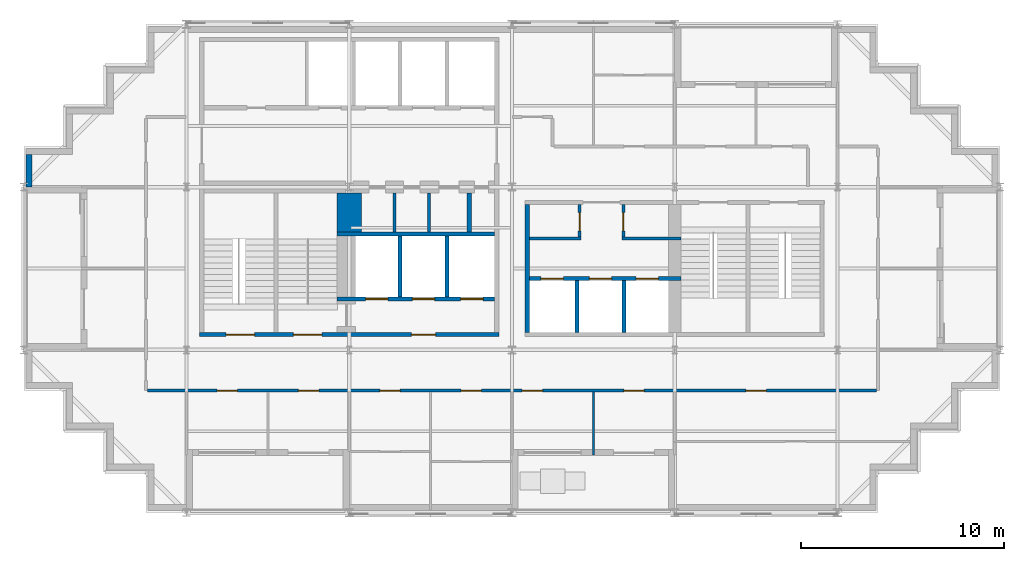
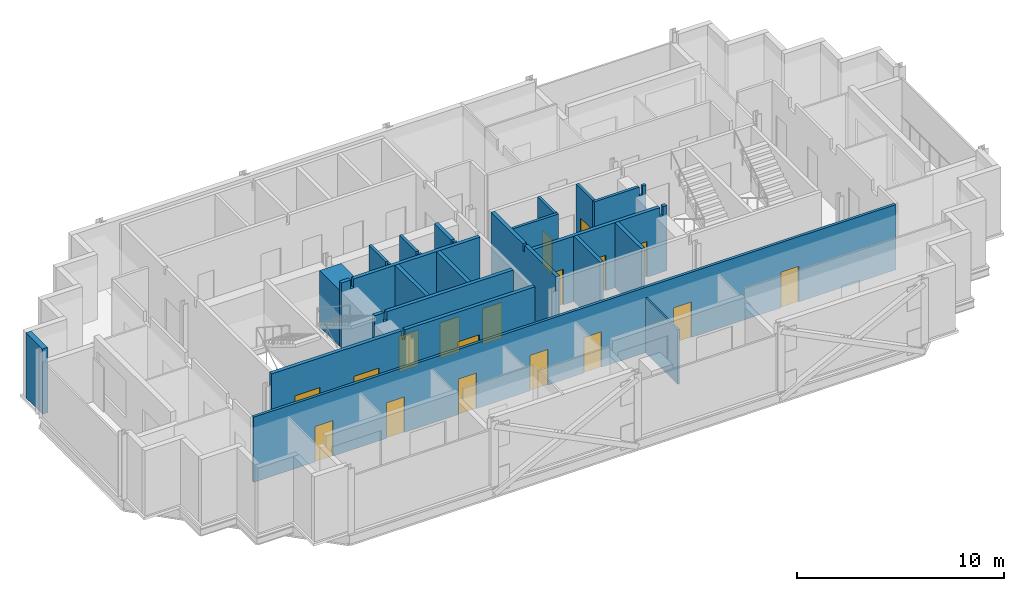
# One storey, part 5 of 10: 20 walls, 18 doors, 18 openings.
"""IFC4 building model written with IfcOpenShell, lengths in metres."""

from ifc_helpers import new_model, si_unit, direction, frame, frame_2d, origin, place, context, subcontext, project, spatial, polyline, rectangle, outline, extrude, material, layer, layer_set, type_object, element, fill, save


model = new_model("IFC4")

# Units and contexts
model_context = context("Model", 3, precision=1e-05, world=origin(), true_north=direction((0.0, 1.0)))
body_context = subcontext(model_context, "Body", "Model", "MODEL_VIEW")
ifc_project = project(units=[si_unit("LENGTHUNIT", "METRE"), si_unit("AREAUNIT", "SQUARE_METRE"), si_unit("VOLUMEUNIT", "CUBIC_METRE"), si_unit("PLANEANGLEUNIT", "RADIAN"), si_unit("MASSUNIT", "GRAM", prefix="KILO")], contexts=[model_context])

# Site, building, storey
site_placement = place(None, origin())
site = spatial("IfcSite", under=ifc_project, at=site_placement, CompositionType="ELEMENT")
building_placement = place(site_placement, origin())
building = spatial("IfcBuilding", under=site, at=building_placement, Name="Immortelle Media Tower", CompositionType="ELEMENT")
storey_placement = place(building_placement, frame((0.0, 0.0, 275.0)))
storey = spatial("IfcBuildingStorey", under=building, at=storey_placement, Name="L60", CompositionType="ELEMENT", Elevation=275.0)

# Walls
ifc_material_1 = material(Name="Fire-rated gypsum board", Category="gypsum")
ifc_layer_1 = layer(ifc_material_1, 0.02490234375)
ifc_material_2 = material(Name="Steel ASTM A653 SS Gr 50 stud frame with mineral wool", Category="steel")
ifc_layer_2 = layer(ifc_material_2, 0.10009765625)
ifc_layer_3 = layer(ifc_material_1, 0.02490234375)
ifc_layer_set_1 = layer_set([ifc_layer_1, ifc_layer_2, ifc_layer_3], Name="Steel ASTM A653 SS Gr 50 stud frame with mineral wool")
wall_type_1 = type_object("IfcWallType", Name="Core partition 150", PredefinedType="PARTITIONING", material=ifc_layer_set_1)
for number, where, z_axis, x_axis, name in (
    (1, (18.22509765625, 13.800048828125, 0.0), (0.0, 0.0, 1.0), (0.0, 1.0, 0.0), "Core partition SW"),
    (2, (19.925048828125, 13.800048828125, 0.0), (0.0, 0.0, 1.0), (0.0, 1.0, 0.0), "Core partition SW"),
):
    element("IfcWall", number, at=place(storey_placement, frame(where, z_axis=z_axis, x_axis=x_axis)), inside=storey, type_object=wall_type_1, Name=name, PredefinedType="PARTITIONING", context=body_context, shape_type="SweptSolid", body=[
        extrude(outline(polyline([(0.0, 0.0), (1.89990234375, 0.0), (1.89990234375, 3.85009765625), (0.27490234375, 3.85009765625), (0.27392578125, 3.43994140625), (0.1259765625, 3.43994140625), (0.125, 3.85009765625), (0.0, 3.85009765625), (0.0, 0.0)])), frame((0.0, 0.074951171875, 0.0), z_axis=(0.0, -1.0, 0.0), x_axis=(1.0, 0.0, 0.0)), (0.0, 0.0, 1.0), 0.14990234375),
    ])
wall_1_placement = place(storey_placement, frame((24.85009765625, 13.47509765625, 0.0), z_axis=(0.0, 0.0, 1.0), x_axis=(1.0, 0.0, 0.0)))
element("IfcWall", 3, at=wall_1_placement, inside=storey, type_object=wall_type_1, Name="Core partition SE", PredefinedType="PARTITIONING", context=body_context, shape_type="SweptSolid", body=[
    extrude(rectangle(XDim=2.5498046875, YDim=0.14990234375, at=frame_2d((1.27490234375, 0.0))), origin(), (0.0, 0.0, 1.0), 3.85009765625),
])

# Wall, opening, door
wall_2_placement = place(storey_placement, frame((27.324951171875, 13.550048828125, 0.0), z_axis=(0.0, 0.0, 1.0), x_axis=(0.0, 1.0, 0.0)))
wall_2 = element("IfcWall", 4, at=wall_2_placement, inside=storey, type_object=wall_type_1, Name="Core partition SE", PredefinedType="PARTITIONING", context=body_context, shape_type="SweptSolid", body=[
    extrude(rectangle(XDim=1.599853515625, YDim=0.14990234375, at=frame_2d((0.7998046875, 0.0))), origin(), (0.0, 0.0, 1.0), 3.85009765625),
])
opening_1_placement = place(wall_2_placement, frame((0.300048828125, 0.0, 0.0)))
opening_1 = element("IfcOpeningElement", 5, at=opening_1_placement, cuts=wall_2, Name="Opening X4-K020", PredefinedType="OPENING", context=body_context, shape_type="SweptSolid", body=[
    extrude(rectangle(XDim=0.89990234375, YDim=2.10009765625, at=frame_2d((0.449951171875, 1.050048828125))), frame((0.0, 0.0849609375, 0.0), z_axis=(0.0, -1.0, 0.0), x_axis=(1.0, 0.0, 0.0)), (0.0, 0.0, 1.0), 0.169921875),
])
ifc_material_3 = material(Name="Galvanised steel door leaf and frame ASTM A653", Category="steel")
door_type_1 = type_object("IfcDoorType", Name="Service door 900 x 2100", OperationType="NOTDEFINED", PredefinedType="NOTDEFINED", material=ifc_material_3)
door_1_placement = place(opening_1_placement, origin())
door_1 = element("IfcDoor", 6, at=door_1_placement, inside=storey, type_object=door_type_1, Name="Service X4-K020", OperationType="SINGLE_SWING_RIGHT", OverallHeight=2.10009765625, OverallWidth=0.89990234375, PredefinedType="NOTDEFINED", context=body_context, shape_type="SweptSolid", body=[
    extrude(rectangle(XDim=0.89990234375, YDim=2.10009765625, at=frame_2d((0.449951171875, 1.050048828125))), frame((0.0, 0.02490234375, 0.0), z_axis=(0.0, -1.0, 0.0), x_axis=(1.0, 0.0, 0.0)), (0.0, 0.0, 1.0), 0.050048828125),
])
fill(opening_1, door_1)

# Wall
wall_3_placement = place(storey_placement, frame((29.39990234375, 13.47509765625, 0.0), z_axis=(0.0, 0.0, 1.0), x_axis=(1.0, 0.0, 0.0)))
element("IfcWall", 7, at=wall_3_placement, inside=storey, type_object=wall_type_1, Name="Core partition SE", PredefinedType="PARTITIONING", context=body_context, shape_type="SweptSolid", body=[
    extrude(outline(polyline([(0.0, 0.0), (2.900146484375, 0.0), (2.89990234375, 3.85009765625), (2.6875, 3.85009765625), (2.6865234375, 3.318115234375), (2.513427734375, 3.318115234375), (2.512451171875, 3.85009765625), (0.0, 3.85009765625), (0.0, 0.0)])), frame((0.0, 0.074951171875, 0.0), z_axis=(0.0, -1.0, 0.0), x_axis=(1.0, 0.0, 0.0)), (0.0, 0.0, 1.0), 0.14990234375),
])

# Wall, opening, door
wall_4_placement = place(storey_placement, frame((29.47509765625, 13.550048828125, 0.0), z_axis=(0.0, 0.0, 1.0), x_axis=(0.0, 1.0, 0.0)))
wall_4 = element("IfcWall", 8, at=wall_4_placement, inside=storey, type_object=wall_type_1, Name="Core partition SE", PredefinedType="PARTITIONING", context=body_context, shape_type="SweptSolid", body=[
    extrude(rectangle(XDim=1.599853515625, YDim=0.14990234375, at=frame_2d((0.7998046875, 0.0))), origin(), (0.0, 0.0, 1.0), 3.85009765625),
])
opening_2_placement = place(wall_4_placement, frame((1.199951171875, 0.0, 0.0), z_axis=(0.0, 0.0, 1.0), x_axis=(-1.0, 0.0, 0.0)))
opening_2 = element("IfcOpeningElement", 9, at=opening_2_placement, cuts=wall_4, Name="Opening X4-K023", PredefinedType="OPENING", context=body_context, shape_type="SweptSolid", body=[
    extrude(rectangle(XDim=0.89990234375, YDim=2.10009765625, at=frame_2d((0.449951171875, 1.050048828125))), frame((0.0, 0.0849609375, 0.0), z_axis=(0.0, -1.0, 0.0), x_axis=(1.0, 0.0, 0.0)), (0.0, 0.0, 1.0), 0.169921875),
])
ifc_material_4 = material(Name="Timber", Category="wood")
door_type_2 = type_object("IfcDoorType", Name="Room door 900 x 2100", OperationType="NOTDEFINED", PredefinedType="NOTDEFINED", material=ifc_material_4)
door_2_placement = place(opening_2_placement, origin())
door_2 = element("IfcDoor", 10, at=door_2_placement, inside=storey, type_object=door_type_2, Name="Room X4-K023", OperationType="SINGLE_SWING_RIGHT", OverallHeight=2.10009765625, OverallWidth=0.89990234375, PredefinedType="NOTDEFINED", context=body_context, shape_type="SweptSolid", body=[
    extrude(rectangle(XDim=0.89990234375, YDim=2.10009765625, at=frame_2d((0.449951171875, 1.050048828125))), frame((0.0, 0.02490234375, 0.0), z_axis=(0.0, -1.0, 0.0), x_axis=(1.0, 0.0, 0.0)), (0.0, 0.0, 1.0), 0.050048828125),
])
fill(opening_2, door_2)

# Wall, openings, doors
ifc_layer_4 = layer(ifc_material_1, 0.03759765625)
ifc_layer_5 = layer(ifc_material_2, 0.125)
ifc_layer_6 = layer(ifc_material_1, 0.03759765625)
ifc_layer_set_2 = layer_set([ifc_layer_4, ifc_layer_5, ifc_layer_6], Name="Steel ASTM A653 SS Gr 50 stud frame with mineral wool")
wall_type_2 = type_object("IfcWallType", Name="Core shaft wall 200", PredefinedType="PARTITIONING", material=ifc_layer_set_2)
wall_5_placement = place(storey_placement, frame((15.39990234375, 10.5, 0.0), z_axis=(0.0, 0.0, 1.0), x_axis=(1.0, 0.0, 0.0)))
wall_5 = element("IfcWall", 11, at=wall_5_placement, inside=storey, type_object=wall_type_2, Name="Core shaft wall SW", PredefinedType="PARTITIONING", context=body_context, shape_type="SweptSolid", body=[
    extrude(outline(polyline([(0.0, 0.0), (7.75, 0.0), (7.75, 3.85009765625), (0.6875, 3.85009765625), (0.6865234375, 3.318115234375), (0.513427734375, 3.318115234375), (0.512451171875, 3.85009765625), (0.0, 3.85009765625), (0.0, 0.0)])), frame((0.0, 0.10009765625, 0.0), z_axis=(0.0, -1.0, 0.0), x_axis=(1.0, 0.0, 0.0)), (0.0, 0.0, 1.0), 0.199951171875),
])
opening_3_placement = place(wall_5_placement, frame((1.39990234375, 0.0, 0.0)))
opening_3 = element("IfcOpeningElement", 12, at=opening_3_placement, cuts=wall_5, Name="Opening LD", PredefinedType="OPENING", context=body_context, shape_type="SweptSolid", body=[
    extrude(rectangle(XDim=1.10009765625, YDim=2.10009765625, at=frame_2d((0.550048828125, 1.050048828125))), frame((0.0, 0.10986328125, 0.0), z_axis=(0.0, -1.0, 0.0), x_axis=(1.0, 0.0, 0.0)), (0.0, 0.0, 1.0), 0.219970703125),
])
opening_4_placement = place(wall_5_placement, frame((3.699951171875, 0.0, 0.0)))
opening_4 = element("IfcOpeningElement", 13, at=opening_4_placement, cuts=wall_5, Name="Opening LD", PredefinedType="OPENING", context=body_context, shape_type="SweptSolid", body=[
    extrude(rectangle(XDim=1.10009765625, YDim=2.10009765625, at=frame_2d((0.550048828125, 1.050048828125))), frame((0.0, 0.10986328125, 0.0), z_axis=(0.0, -1.0, 0.0), x_axis=(1.0, 0.0, 0.0)), (0.0, 0.0, 1.0), 0.219970703125),
])
opening_5_placement = place(wall_5_placement, frame((6.074951171875, 0.0, 0.0)))
opening_5 = element("IfcOpeningElement", 14, at=opening_5_placement, cuts=wall_5, Name="Opening LD", PredefinedType="OPENING", context=body_context, shape_type="SweptSolid", body=[
    extrude(rectangle(XDim=1.10009765625, YDim=2.10009765625, at=frame_2d((0.550048828125, 1.050048828125))), frame((0.0, 0.10986328125, 0.0), z_axis=(0.0, -1.0, 0.0), x_axis=(1.0, 0.0, 0.0)), (0.0, 0.0, 1.0), 0.219970703125),
])
ifc_material_5 = material(Name="Stainless steel AISI 304", Category="steel")
door_type_3 = type_object("IfcDoorType", Name="Landing door 1100 x 2100", OperationType="SLIDING_TO_LEFT", PredefinedType="NOTDEFINED", material=ifc_material_5)
door_3_placement = place(opening_3_placement, origin())
door_3 = element("IfcDoor", 15, at=door_3_placement, inside=storey, type_object=door_type_3, Name="Landing door FF1 L60", OperationType="SLIDING_TO_LEFT", OverallHeight=2.10009765625, OverallWidth=1.10009765625, PredefinedType="NOTDEFINED", context=body_context, shape_type="SweptSolid", body=[
    extrude(rectangle(XDim=1.10009765625, YDim=2.10009765625, at=frame_2d((0.550048828125, 1.050048828125))), frame((0.0, 0.02490234375, 0.0), z_axis=(0.0, -1.0, 0.0), x_axis=(1.0, 0.0, 0.0)), (0.0, 0.0, 1.0), 0.050048828125),
])
fill(opening_3, door_3)
door_4_placement = place(opening_4_placement, origin())
door_4 = element("IfcDoor", 16, at=door_4_placement, inside=storey, type_object=door_type_3, Name="Landing door FF2 L60", OperationType="SLIDING_TO_LEFT", OverallHeight=2.10009765625, OverallWidth=1.10009765625, PredefinedType="NOTDEFINED", context=body_context, shape_type="SweptSolid", body=[
    extrude(rectangle(XDim=1.10009765625, YDim=2.10009765625, at=frame_2d((0.550048828125, 1.050048828125))), frame((0.0, 0.02490234375, 0.0), z_axis=(0.0, -1.0, 0.0), x_axis=(1.0, 0.0, 0.0)), (0.0, 0.0, 1.0), 0.050048828125),
])
fill(opening_4, door_4)
door_5_placement = place(opening_5_placement, origin())
door_5 = element("IfcDoor", 17, at=door_5_placement, inside=storey, type_object=door_type_3, Name="Landing door FF3 L60", OperationType="SLIDING_TO_LEFT", OverallHeight=2.10009765625, OverallWidth=1.10009765625, PredefinedType="NOTDEFINED", context=body_context, shape_type="SweptSolid", body=[
    extrude(rectangle(XDim=1.10009765625, YDim=2.10009765625, at=frame_2d((0.550048828125, 1.050048828125))), frame((0.0, 0.02490234375, 0.0), z_axis=(0.0, -1.0, 0.0), x_axis=(1.0, 0.0, 0.0)), (0.0, 0.0, 1.0), 0.050048828125),
])
fill(opening_5, door_5)

# Walls
wall_6_placement = place(storey_placement, frame((15.39990234375, 13.699951171875, 0.0), z_axis=(0.0, 0.0, 1.0), x_axis=(1.0, 0.0, 0.0)))
element("IfcWall", 18, at=wall_6_placement, inside=storey, type_object=wall_type_2, Name="Core shaft wall SW", PredefinedType="PARTITIONING", context=body_context, shape_type="SweptSolid", body=[
    extrude(outline(polyline([(0.0, 0.0), (7.75, 0.0), (7.75, 3.85009765625), (0.6875, 3.85009765625), (0.6865234375, 3.318115234375), (0.513427734375, 3.318115234375), (0.512451171875, 3.85009765625), (0.0, 3.85009765625), (0.0, 0.0)])), frame((0.0, 0.10009765625, 0.0), z_axis=(0.0, -1.0, 0.0), x_axis=(1.0, 0.0, 0.0)), (0.0, 0.0, 1.0), 0.199951171875),
])
for number, where, z_axis, x_axis, name in (
    (19, (18.5, 10.60009765625, 0.0), (0.0, 0.0, 1.0), (0.0, 1.0, 0.0), "Core shaft wall SW"),
    (20, (20.800048828125, 10.60009765625, 0.0), (0.0, 0.0, 1.0), (0.0, 1.0, 0.0), "Core shaft wall SW"),
):
    element("IfcWall", number, at=place(storey_placement, frame(where, z_axis=z_axis, x_axis=x_axis)), inside=storey, type_object=wall_type_2, Name=name, PredefinedType="PARTITIONING", context=body_context, shape_type="SweptSolid", body=[
        extrude(rectangle(XDim=3.0, YDim=0.199951171875, at=frame_2d((1.5, 0.0))), origin(), (0.0, 0.0, 1.0), 3.85009765625),
    ])
wall_7_placement = place(storey_placement, frame((21.89990234375, 13.800048828125, 0.0), z_axis=(0.0, 0.0, 1.0), x_axis=(0.0, 1.0, 0.0)))
element("IfcWall", 21, at=wall_7_placement, inside=storey, type_object=wall_type_2, Name="Core shaft wall SW", PredefinedType="PARTITIONING", context=body_context, shape_type="SweptSolid", body=[
    extrude(outline(polyline([(0.0, 0.0), (1.89990234375, 0.0), (1.89990234375, 3.85009765625), (0.27490234375, 3.85009765625), (0.27392578125, 3.43994140625), (0.1259765625, 3.43994140625), (0.125, 3.85009765625), (0.0, 3.85009765625), (0.0, 0.0)])), frame((0.0, 0.10009765625, 0.0), z_axis=(0.0, -1.0, 0.0), x_axis=(1.0, 0.0, 0.0)), (0.0, 0.0, 1.0), 0.199951171875),
])
wall_8_placement = place(storey_placement, frame((24.75, 8.85009765625, 0.0), z_axis=(0.0, 0.0, 1.0), x_axis=(0.0, 1.0, 0.0)))
element("IfcWall", 22, at=wall_8_placement, inside=storey, type_object=wall_type_2, Name="Core shaft wall SE", PredefinedType="PARTITIONING", context=body_context, shape_type="SweptSolid", body=[
    extrude(outline(polyline([(0.0, 0.0), (6.2998046875, 0.0), (6.300048828125, 3.85009765625), (3.22509765625, 3.85009765625), (3.22412109375, 3.43994140625), (3.075927734375, 3.43994140625), (3.074951171875, 3.85009765625), (0.0, 3.85009765625), (0.0, 0.0)])), frame((0.0, 0.10009765625, 0.0), z_axis=(0.0, -1.0, 0.0), x_axis=(1.0, 0.0, 0.0)), (0.0, 0.0, 1.0), 0.199951171875),
])

# Wall, openings, doors
wall_9_placement = place(storey_placement, frame((24.85009765625, 11.5, 0.0), z_axis=(0.0, 0.0, 1.0), x_axis=(1.0, 0.0, 0.0)))
wall_9 = element("IfcWall", 23, at=wall_9_placement, inside=storey, type_object=wall_type_2, Name="Core shaft wall SE", PredefinedType="PARTITIONING", context=body_context, shape_type="SweptSolid", body=[
    extrude(outline(polyline([(0.0, 0.0), (7.449951171875, 0.0), (7.449951171875, 3.85009765625), (7.237548828125, 3.85009765625), (7.236572265625, 3.318115234375), (7.0634765625, 3.318115234375), (7.0625, 3.85009765625), (0.0, 3.85009765625), (0.0, 0.0)])), frame((0.0, 0.10009765625, 0.0), z_axis=(0.0, -1.0, 0.0), x_axis=(1.0, 0.0, 0.0)), (0.0, 0.0, 1.0), 0.199951171875),
])
opening_6_placement = place(wall_9_placement, frame((0.574951171875, 0.0, 0.0)))
opening_6 = element("IfcOpeningElement", 24, at=opening_6_placement, cuts=wall_9, Name="Opening LD", PredefinedType="OPENING", context=body_context, shape_type="SweptSolid", body=[
    extrude(rectangle(XDim=1.10009765625, YDim=2.10009765625, at=frame_2d((0.550048828125, 1.050048828125))), frame((0.0, 0.10986328125, 0.0), z_axis=(0.0, -1.0, 0.0), x_axis=(1.0, 0.0, 0.0)), (0.0, 0.0, 1.0), 0.219970703125),
])
opening_7_placement = place(wall_9_placement, frame((2.949951171875, 0.0, 0.0)))
opening_7 = element("IfcOpeningElement", 25, at=opening_7_placement, cuts=wall_9, Name="Opening LD", PredefinedType="OPENING", context=body_context, shape_type="SweptSolid", body=[
    extrude(rectangle(XDim=1.10009765625, YDim=2.10009765625, at=frame_2d((0.550048828125, 1.050048828125))), frame((0.0, 0.10986328125, 0.0), z_axis=(0.0, -1.0, 0.0), x_axis=(1.0, 0.0, 0.0)), (0.0, 0.0, 1.0), 0.219970703125),
])
opening_8_placement = place(wall_9_placement, frame((5.25, 0.0, 0.0)))
opening_8 = element("IfcOpeningElement", 26, at=opening_8_placement, cuts=wall_9, Name="Opening LD", PredefinedType="OPENING", context=body_context, shape_type="SweptSolid", body=[
    extrude(rectangle(XDim=1.10009765625, YDim=2.10009765625, at=frame_2d((0.550048828125, 1.050048828125))), frame((0.0, 0.10986328125, 0.0), z_axis=(0.0, -1.0, 0.0), x_axis=(1.0, 0.0, 0.0)), (0.0, 0.0, 1.0), 0.219970703125),
])
door_6_placement = place(opening_6_placement, origin())
door_6 = element("IfcDoor", 27, at=door_6_placement, inside=storey, type_object=door_type_3, Name="Landing door HS1 L60", OperationType="SLIDING_TO_LEFT", OverallHeight=2.10009765625, OverallWidth=1.10009765625, PredefinedType="NOTDEFINED", context=body_context, shape_type="SweptSolid", body=[
    extrude(rectangle(XDim=1.10009765625, YDim=2.10009765625, at=frame_2d((0.550048828125, 1.050048828125))), frame((0.0, 0.02490234375, 0.0), z_axis=(0.0, -1.0, 0.0), x_axis=(1.0, 0.0, 0.0)), (0.0, 0.0, 1.0), 0.050048828125),
])
fill(opening_6, door_6)
door_7_placement = place(opening_7_placement, origin())
door_7 = element("IfcDoor", 28, at=door_7_placement, inside=storey, type_object=door_type_3, Name="Landing door HS2 L60", OperationType="SLIDING_TO_LEFT", OverallHeight=2.10009765625, OverallWidth=1.10009765625, PredefinedType="NOTDEFINED", context=body_context, shape_type="SweptSolid", body=[
    extrude(rectangle(XDim=1.10009765625, YDim=2.10009765625, at=frame_2d((0.550048828125, 1.050048828125))), frame((0.0, 0.02490234375, 0.0), z_axis=(0.0, -1.0, 0.0), x_axis=(1.0, 0.0, 0.0)), (0.0, 0.0, 1.0), 0.050048828125),
])
fill(opening_7, door_7)
door_8_placement = place(opening_8_placement, origin())
door_8 = element("IfcDoor", 29, at=door_8_placement, inside=storey, type_object=door_type_3, Name="Landing door HS3 L60", OperationType="SLIDING_TO_LEFT", OverallHeight=2.10009765625, OverallWidth=1.10009765625, PredefinedType="NOTDEFINED", context=body_context, shape_type="SweptSolid", body=[
    extrude(rectangle(XDim=1.10009765625, YDim=2.10009765625, at=frame_2d((0.550048828125, 1.050048828125))), frame((0.0, 0.02490234375, 0.0), z_axis=(0.0, -1.0, 0.0), x_axis=(1.0, 0.0, 0.0)), (0.0, 0.0, 1.0), 0.050048828125),
])
fill(opening_8, door_8)

# Walls
for number, where, z_axis, x_axis, name in (
    (30, (27.199951171875, 8.85009765625, 0.0), (0.0, 0.0, 1.0), (0.0, 1.0, 0.0), "Core shaft wall SE"),
    (31, (29.5, 8.85009765625, 0.0), (0.0, 0.0, 1.0), (0.0, 1.0, 0.0), "Core shaft wall SE"),
):
    element("IfcWall", number, at=place(storey_placement, frame(where, z_axis=z_axis, x_axis=x_axis)), inside=storey, type_object=wall_type_2, Name=name, PredefinedType="PARTITIONING", context=body_context, shape_type="SweptSolid", body=[
        extrude(rectangle(XDim=2.5498046875, YDim=0.199951171875, at=frame_2d((1.27490234375, 0.0))), origin(), (0.0, 0.0, 1.0), 3.85009765625),
    ])

# Wall, openings, doors
ifc_layer_7 = layer(ifc_material_1, 0.012451171875)
ifc_layer_8 = layer(ifc_material_2, 0.125)
ifc_layer_9 = layer(ifc_material_1, 0.012451171875)
ifc_layer_set_3 = layer_set([ifc_layer_7, ifc_layer_8, ifc_layer_9], Name="Steel ASTM A653 SS Gr 50 stud frame with mineral wool")
wall_type_3 = type_object("IfcWallType", Name="Corridor wall 150", PredefinedType="PARTITIONING", material=ifc_layer_set_3)
wall_10_placement = place(storey_placement, frame((6.074951171875, 6.0, 0.0), z_axis=(0.0, 0.0, 1.0), x_axis=(1.0, 0.0, 0.0)))
wall_10 = element("IfcWall", 32, at=wall_10_placement, inside=storey, type_object=wall_type_3, Name="Partition L60-014", PredefinedType="PARTITIONING", context=body_context, shape_type="SweptSolid", body=[
    extrude(rectangle(XDim=35.85009765625, YDim=0.14990234375, at=frame_2d((17.925048828125, 0.0))), origin(), (0.0, 0.0, 1.0), 3.85009765625),
])
opening_9_placement = place(wall_10_placement, frame((12.425048828125, 0.0, 0.0), z_axis=(0.0, 0.0, 1.0), x_axis=(-1.0, 0.0, 0.0)))
opening_9 = element("IfcOpeningElement", 33, at=opening_9_placement, cuts=wall_10, Name="Opening X4-F001", PredefinedType="OPENING", context=body_context, shape_type="SweptSolid", body=[
    extrude(rectangle(XDim=1.0, YDim=2.10009765625, at=frame_2d((0.5, 1.050048828125))), frame((0.0, 0.0849609375, 0.0), z_axis=(0.0, -1.0, 0.0), x_axis=(1.0, 0.0, 0.0)), (0.0, 0.0, 1.0), 0.169921875),
])
opening_10_placement = place(wall_10_placement, frame((16.425048828125, 0.0, 0.0), z_axis=(0.0, 0.0, 1.0), x_axis=(-1.0, 0.0, 0.0)))
opening_10 = element("IfcOpeningElement", 34, at=opening_10_placement, cuts=wall_10, Name="Opening X4-F003", PredefinedType="OPENING", context=body_context, shape_type="SweptSolid", body=[
    extrude(rectangle(XDim=1.0, YDim=2.10009765625, at=frame_2d((0.5, 1.050048828125))), frame((0.0, 0.0849609375, 0.0), z_axis=(0.0, -1.0, 0.0), x_axis=(1.0, 0.0, 0.0)), (0.0, 0.0, 1.0), 0.169921875),
])
opening_11_placement = place(wall_10_placement, frame((30.425048828125, 0.0, 0.0), z_axis=(0.0, 0.0, 1.0), x_axis=(-1.0, 0.0, 0.0)))
opening_11 = element("IfcOpeningElement", 35, at=opening_11_placement, cuts=wall_10, Name="Opening X4-F005", PredefinedType="OPENING", context=body_context, shape_type="SweptSolid", body=[
    extrude(rectangle(XDim=1.0, YDim=2.10009765625, at=frame_2d((0.5, 1.050048828125))), frame((0.0, 0.0849609375, 0.0), z_axis=(0.0, -1.0, 0.0), x_axis=(1.0, 0.0, 0.0)), (0.0, 0.0, 1.0), 0.169921875),
])
opening_12_placement = place(wall_10_placement, frame((4.425048828125, 0.0, 0.0), z_axis=(0.0, 0.0, 1.0), x_axis=(-1.0, 0.0, 0.0)))
opening_12 = element("IfcOpeningElement", 36, at=opening_12_placement, cuts=wall_10, Name="Opening X4-F007", PredefinedType="OPENING", context=body_context, shape_type="SweptSolid", body=[
    extrude(rectangle(XDim=1.0, YDim=2.10009765625, at=frame_2d((0.5, 1.050048828125))), frame((0.0, 0.0849609375, 0.0), z_axis=(0.0, -1.0, 0.0), x_axis=(1.0, 0.0, 0.0)), (0.0, 0.0, 1.0), 0.169921875),
])
opening_13_placement = place(wall_10_placement, frame((8.425048828125, 0.0, 0.0), z_axis=(0.0, 0.0, 1.0), x_axis=(-1.0, 0.0, 0.0)))
opening_13 = element("IfcOpeningElement", 37, at=opening_13_placement, cuts=wall_10, Name="Opening X4-F008", PredefinedType="OPENING", context=body_context, shape_type="SweptSolid", body=[
    extrude(rectangle(XDim=1.0, YDim=2.10009765625, at=frame_2d((0.5, 1.050048828125))), frame((0.0, 0.0849609375, 0.0), z_axis=(0.0, -1.0, 0.0), x_axis=(1.0, 0.0, 0.0)), (0.0, 0.0, 1.0), 0.169921875),
])
opening_14_placement = place(wall_10_placement, frame((19.425048828125, 0.0, 0.0), z_axis=(0.0, 0.0, 1.0), x_axis=(-1.0, 0.0, 0.0)))
opening_14 = element("IfcOpeningElement", 38, at=opening_14_placement, cuts=wall_10, Name="Opening X4-F009", PredefinedType="OPENING", context=body_context, shape_type="SweptSolid", body=[
    extrude(rectangle(XDim=1.0, YDim=2.10009765625, at=frame_2d((0.5, 1.050048828125))), frame((0.0, 0.0849609375, 0.0), z_axis=(0.0, -1.0, 0.0), x_axis=(1.0, 0.0, 0.0)), (0.0, 0.0, 1.0), 0.169921875),
])
opening_15_placement = place(wall_10_placement, frame((24.425048828125, 0.0, 0.0), z_axis=(0.0, 0.0, 1.0), x_axis=(-1.0, 0.0, 0.0)))
opening_15 = element("IfcOpeningElement", 39, at=opening_15_placement, cuts=wall_10, Name="Opening X4-F010", PredefinedType="OPENING", context=body_context, shape_type="SweptSolid", body=[
    extrude(rectangle(XDim=1.0, YDim=2.10009765625, at=frame_2d((0.5, 1.050048828125))), frame((0.0, 0.0849609375, 0.0), z_axis=(0.0, -1.0, 0.0), x_axis=(1.0, 0.0, 0.0)), (0.0, 0.0, 1.0), 0.169921875),
])
ifc_material_6 = material(Name="Timber veneered door leaf, galvanised steel frame ASTM A653", Category="steel")
door_type_4 = type_object("IfcDoorType", Name="Room door 1000 x 2100", OperationType="NOTDEFINED", PredefinedType="DOOR", material=ifc_material_6)
door_9_placement = place(opening_9_placement, origin())
door_9 = element("IfcDoor", 40, at=door_9_placement, inside=storey, type_object=door_type_4, Name="Door X4-F001", OperationType="SINGLE_SWING_LEFT", OverallHeight=2.10009765625, OverallWidth=1.0, PredefinedType="DOOR", context=body_context, shape_type="SweptSolid", body=[
    extrude(rectangle(XDim=1.0, YDim=2.10009765625, at=frame_2d((0.5, 1.050048828125))), frame((0.0, 0.02490234375, 0.0), z_axis=(0.0, -1.0, 0.0), x_axis=(1.0, 0.0, 0.0)), (0.0, 0.0, 1.0), 0.050048828125),
])
fill(opening_9, door_9)
door_10_placement = place(opening_10_placement, origin())
door_10 = element("IfcDoor", 41, at=door_10_placement, inside=storey, type_object=door_type_4, Name="Door X4-F003", OperationType="SINGLE_SWING_LEFT", OverallHeight=2.10009765625, OverallWidth=1.0, PredefinedType="DOOR", context=body_context, shape_type="SweptSolid", body=[
    extrude(rectangle(XDim=1.0, YDim=2.10009765625, at=frame_2d((0.5, 1.050048828125))), frame((0.0, 0.02490234375, 0.0), z_axis=(0.0, -1.0, 0.0), x_axis=(1.0, 0.0, 0.0)), (0.0, 0.0, 1.0), 0.050048828125),
])
fill(opening_10, door_10)
door_11_placement = place(opening_11_placement, origin())
door_11 = element("IfcDoor", 42, at=door_11_placement, inside=storey, type_object=door_type_4, Name="Door X4-F005", OperationType="SINGLE_SWING_RIGHT", OverallHeight=2.10009765625, OverallWidth=1.0, PredefinedType="DOOR", context=body_context, shape_type="SweptSolid", body=[
    extrude(rectangle(XDim=1.0, YDim=2.10009765625, at=frame_2d((0.5, 1.050048828125))), frame((0.0, 0.02490234375, 0.0), z_axis=(0.0, -1.0, 0.0), x_axis=(1.0, 0.0, 0.0)), (0.0, 0.0, 1.0), 0.050048828125),
])
fill(opening_11, door_11)
door_12_placement = place(opening_12_placement, origin())
door_12 = element("IfcDoor", 43, at=door_12_placement, inside=storey, type_object=door_type_4, Name="Door X4-F007", OperationType="SINGLE_SWING_RIGHT", OverallHeight=2.10009765625, OverallWidth=1.0, PredefinedType="DOOR", context=body_context, shape_type="SweptSolid", body=[
    extrude(rectangle(XDim=1.0, YDim=2.10009765625, at=frame_2d((0.5, 1.050048828125))), frame((0.0, 0.02490234375, 0.0), z_axis=(0.0, -1.0, 0.0), x_axis=(1.0, 0.0, 0.0)), (0.0, 0.0, 1.0), 0.050048828125),
])
fill(opening_12, door_12)
door_13_placement = place(opening_13_placement, origin())
door_13 = element("IfcDoor", 44, at=door_13_placement, inside=storey, type_object=door_type_4, Name="Door X4-F008", OperationType="SINGLE_SWING_LEFT", OverallHeight=2.10009765625, OverallWidth=1.0, PredefinedType="DOOR", context=body_context, shape_type="SweptSolid", body=[
    extrude(rectangle(XDim=1.0, YDim=2.10009765625, at=frame_2d((0.5, 1.050048828125))), frame((0.0, 0.02490234375, 0.0), z_axis=(0.0, -1.0, 0.0), x_axis=(1.0, 0.0, 0.0)), (0.0, 0.0, 1.0), 0.050048828125),
])
fill(opening_13, door_13)
door_14_placement = place(opening_14_placement, origin())
door_14 = element("IfcDoor", 45, at=door_14_placement, inside=storey, type_object=door_type_4, Name="Door X4-F009", OperationType="SINGLE_SWING_RIGHT", OverallHeight=2.10009765625, OverallWidth=1.0, PredefinedType="DOOR", context=body_context, shape_type="SweptSolid", body=[
    extrude(rectangle(XDim=1.0, YDim=2.10009765625, at=frame_2d((0.5, 1.050048828125))), frame((0.0, 0.02490234375, 0.0), z_axis=(0.0, -1.0, 0.0), x_axis=(1.0, 0.0, 0.0)), (0.0, 0.0, 1.0), 0.050048828125),
])
fill(opening_14, door_14)
door_15_placement = place(opening_15_placement, origin())
door_15 = element("IfcDoor", 46, at=door_15_placement, inside=storey, type_object=door_type_4, Name="Door X4-F010", OperationType="SINGLE_SWING_LEFT", OverallHeight=2.10009765625, OverallWidth=1.0, PredefinedType="DOOR", context=body_context, shape_type="SweptSolid", body=[
    extrude(rectangle(XDim=1.0, YDim=2.10009765625, at=frame_2d((0.5, 1.050048828125))), frame((0.0, 0.02490234375, 0.0), z_axis=(0.0, -1.0, 0.0), x_axis=(1.0, 0.0, 0.0)), (0.0, 0.0, 1.0), 0.050048828125),
])
fill(opening_15, door_15)

# Walls
ifc_material_7 = material(Name="Pale aluminium cladding panel", Category="aluminium")
ifc_layer_10 = layer(ifc_material_7, 0.030029296875)
ifc_layer_11 = layer(ifc_material_2, 0.257568359375)
ifc_material_8 = material(Name="Moisture-resistant gypsum board", Category="gypsum")
ifc_layer_12 = layer(ifc_material_8, 0.012451171875)
ifc_layer_set_4 = layer_set([ifc_layer_10, ifc_layer_11, ifc_layer_12], Name="Steel ASTM A653 SS Gr 50 stud frame with mineral wool")
wall_type_4 = type_object("IfcWallType", Name="Facade wall 300", PredefinedType="SOLIDWALL", material=ifc_layer_set_4)
wall_11_placement = place(storey_placement, frame((0.25, 17.60009765625, 0.0), z_axis=(0.0, 0.0, 1.0), x_axis=(0.0, -1.0, 0.0)))
element("IfcWall", 47, at=wall_11_placement, inside=storey, type_object=wall_type_4, Name="Facade wall L60 W27", PredefinedType="SOLIDWALL", context=body_context, shape_type="SweptSolid", body=[
    extrude(rectangle(XDim=1.60009765625, YDim=0.300048828125, at=frame_2d((0.800048828125, 0.0))), origin(), (0.0, 0.0, 1.0), 3.85009765625),
])
ifc_material_9 = material(Name="Gypsum board", Category="gypsum")
ifc_layer_13 = layer(ifc_material_9, 0.012451171875)
ifc_layer_14 = layer(ifc_material_2, 0.074951171875)
ifc_layer_15 = layer(ifc_material_9, 0.012451171875)
ifc_layer_set_5 = layer_set([ifc_layer_13, ifc_layer_14, ifc_layer_15], Name="Steel ASTM A653 SS Gr 50 stud frame with mineral wool")
wall_type_5 = type_object("IfcWallType", Name="Partition 100", PredefinedType="PARTITIONING", material=ifc_layer_set_5)
wall_12_placement = place(storey_placement, frame((28.0, 2.830078125, 0.0), z_axis=(0.0, 0.0, 1.0), x_axis=(0.0, 1.0, 0.0)))
element("IfcWall", 48, at=wall_12_placement, inside=storey, type_object=wall_type_5, Name="Partition L60-007", PredefinedType="PARTITIONING", context=body_context, shape_type="SweptSolid", body=[
    extrude(rectangle(XDim=3.094970703125, YDim=0.10009765625, at=frame_2d((1.54736328125, 0.0))), origin(), (0.0, 0.0, 1.0), 3.238037109375),
])
ifc_material_10 = material(Name="Concrete C60", Category="concrete")
ifc_layer_16 = layer(ifc_material_10, 1.199951171875)
ifc_layer_set_6 = layer_set([ifc_layer_16], Name="Concrete C60")
wall_type_6 = type_object("IfcWallType", Name="Stair shaft wall 1200", PredefinedType="PARTITIONING", material=ifc_layer_set_6)
wall_13_placement = place(storey_placement, frame((16.0, 13.800048828125, 0.0), z_axis=(0.0, 0.0, 1.0), x_axis=(0.0, 1.0, 0.0)))
element("IfcWall", 49, at=wall_13_placement, inside=storey, type_object=wall_type_6, Name="Stair shaft wall SW", PredefinedType="PARTITIONING", context=body_context, shape_type="SweptSolid", body=[
    extrude(rectangle(XDim=1.89990234375, YDim=1.199951171875, at=frame_2d((0.949951171875, 0.0))), origin(), (0.0, 0.0, 1.0), 3.318115234375),
])

# Wall, openings, doors
ifc_layer_17 = layer(ifc_material_10, 0.199951171875)
ifc_layer_set_7 = layer_set([ifc_layer_17], Name="Concrete C60")
wall_type_7 = type_object("IfcWallType", Name="Stair shaft wall 200", PredefinedType="PARTITIONING", material=ifc_layer_set_7)
wall_14_placement = place(storey_placement, frame((8.64990234375, 8.75, 0.0), z_axis=(0.0, 0.0, 1.0), x_axis=(1.0, 0.0, 0.0)))
wall_14 = element("IfcWall", 50, at=wall_14_placement, inside=storey, type_object=wall_type_7, Name="Stair shaft wall SW", PredefinedType="PARTITIONING", context=body_context, shape_type="SweptSolid", body=[
    extrude(outline(polyline([(0.0, 0.0), (14.7001953125, 0.0), (14.699951171875, 3.85009765625), (7.4375, 3.85009765625), (7.4365234375, 3.318115234375), (7.263427734375, 3.318115234375), (7.262451171875, 3.85009765625), (0.0, 3.85009765625), (0.0, 0.0)])), frame((0.0, 0.10009765625, 0.0), z_axis=(0.0, -1.0, 0.0), x_axis=(1.0, 0.0, 0.0)), (0.0, 0.0, 1.0), 0.199951171875),
])
opening_16_placement = place(wall_14_placement, frame((1.300048828125, 0.0, 0.0)))
opening_16 = element("IfcOpeningElement", 51, at=opening_16_placement, cuts=wall_14, Name="Opening X4-K002", PredefinedType="OPENING", context=body_context, shape_type="SweptSolid", body=[
    extrude(rectangle(XDim=1.39990234375, YDim=2.10009765625, at=frame_2d((0.699951171875, 1.050048828125))), frame((0.0, 0.10986328125, 0.0), z_axis=(0.0, -1.0, 0.0), x_axis=(1.0, 0.0, 0.0)), (0.0, 0.0, 1.0), 0.219970703125),
])
opening_17_placement = place(wall_14_placement, frame((4.60009765625, 0.0, 0.0)))
opening_17 = element("IfcOpeningElement", 52, at=opening_17_placement, cuts=wall_14, Name="Opening X4-K004", PredefinedType="OPENING", context=body_context, shape_type="SweptSolid", body=[
    extrude(rectangle(XDim=1.39990234375, YDim=2.10009765625, at=frame_2d((0.699951171875, 1.050048828125))), frame((0.0, 0.10986328125, 0.0), z_axis=(0.0, -1.0, 0.0), x_axis=(1.0, 0.0, 0.0)), (0.0, 0.0, 1.0), 0.219970703125),
])
opening_18_placement = place(wall_14_placement, frame((10.39990234375, 0.0, 0.0)))
opening_18 = element("IfcOpeningElement", 53, at=opening_18_placement, cuts=wall_14, Name="Opening X4-K011", PredefinedType="OPENING", context=body_context, shape_type="SweptSolid", body=[
    extrude(rectangle(XDim=1.199951171875, YDim=2.10009765625, at=frame_2d((0.60009765625, 1.050048828125))), frame((0.0, 0.10986328125, 0.0), z_axis=(0.0, -1.0, 0.0), x_axis=(1.0, 0.0, 0.0)), (0.0, 0.0, 1.0), 0.219970703125),
])
door_type_5 = type_object("IfcDoorType", Name="Fire-fighting lobby door 1200 x 2100", OperationType="NOTDEFINED", PredefinedType="NOTDEFINED", material=ifc_material_3)
door_16_placement = place(opening_18_placement, origin())
door_16 = element("IfcDoor", 54, at=door_16_placement, inside=storey, type_object=door_type_5, Name="Fire-fighting lobby X4-K011", OperationType="SINGLE_SWING_LEFT", OverallHeight=2.10009765625, OverallWidth=1.199951171875, PredefinedType="NOTDEFINED", context=body_context, shape_type="SweptSolid", body=[
    extrude(rectangle(XDim=1.199951171875, YDim=2.10009765625, at=frame_2d((0.60009765625, 1.050048828125))), frame((0.0, 0.02490234375, 0.0), z_axis=(0.0, -1.0, 0.0), x_axis=(1.0, 0.0, 0.0)), (0.0, 0.0, 1.0), 0.050048828125),
])
fill(opening_18, door_16)
door_type_6 = type_object("IfcDoorType", Name="Stair door 1400 x 2100", OperationType="DOUBLE_DOOR_SINGLE_SWING", PredefinedType="NOTDEFINED", material=ifc_material_3)
door_17_placement = place(opening_16_placement, origin())
door_17 = element("IfcDoor", 55, at=door_17_placement, inside=storey, type_object=door_type_6, Name="Stair X4-K002", OperationType="DOUBLE_DOOR_SINGLE_SWING", OverallHeight=2.10009765625, OverallWidth=1.39990234375, PredefinedType="NOTDEFINED", context=body_context, shape_type="SweptSolid", body=[
    extrude(rectangle(XDim=1.39990234375, YDim=2.10009765625, at=frame_2d((0.699951171875, 1.050048828125))), frame((0.0, 0.02490234375, 0.0), z_axis=(0.0, -1.0, 0.0), x_axis=(1.0, 0.0, 0.0)), (0.0, 0.0, 1.0), 0.050048828125),
])
fill(opening_16, door_17)
door_18_placement = place(opening_17_placement, origin())
door_18 = element("IfcDoor", 56, at=door_18_placement, inside=storey, type_object=door_type_6, Name="Stair X4-K004", OperationType="DOUBLE_DOOR_SINGLE_SWING", OverallHeight=2.10009765625, OverallWidth=1.39990234375, PredefinedType="NOTDEFINED", context=body_context, shape_type="SweptSolid", body=[
    extrude(rectangle(XDim=1.39990234375, YDim=2.10009765625, at=frame_2d((0.699951171875, 1.050048828125))), frame((0.0, 0.02490234375, 0.0), z_axis=(0.0, -1.0, 0.0), x_axis=(1.0, 0.0, 0.0)), (0.0, 0.0, 1.0), 0.050048828125),
])
fill(opening_17, door_18)

save(model, "model.ifc")
